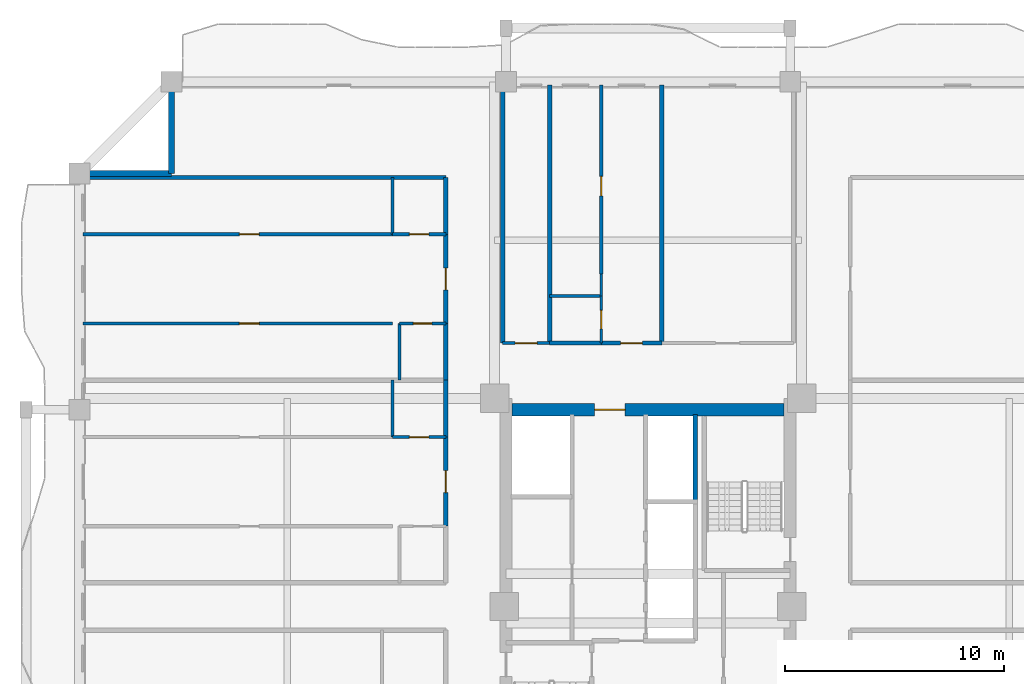
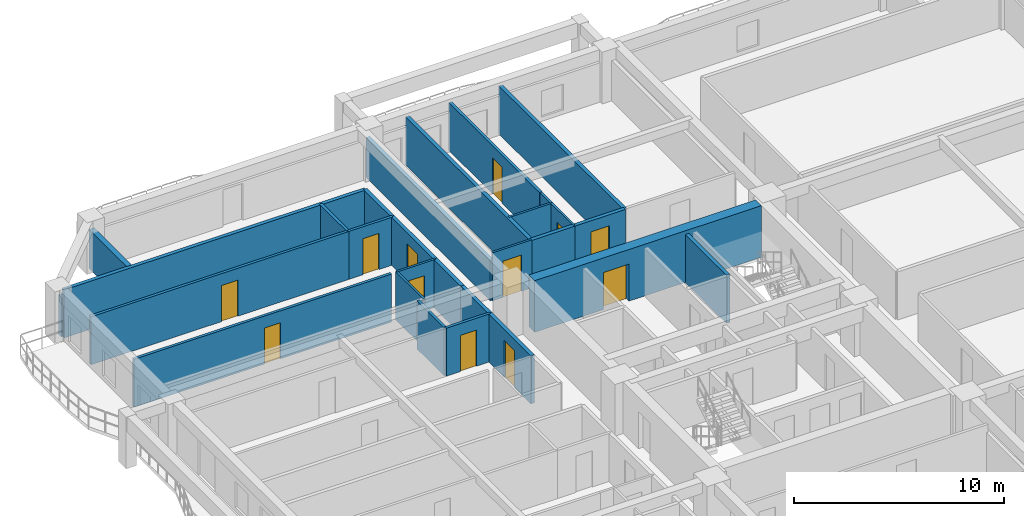
# One storey, part 5 of 11: 28 walls, 12 doors, 12 openings.
"""IFC4 building model written with IfcOpenShell, lengths in metres."""

from ifc_helpers import new_model, si_unit, direction, frame, frame_2d, origin, place, context, subcontext, project, spatial, rectangle, extrude, source, transform, mapped, material, layer, layer_set, type_object, element, fill, save


model = new_model("IFC4")

# Units and contexts
model_context = context("Model", 3, precision=1e-05, world=origin(), true_north=direction((0.0, 1.0)))
body_context = subcontext(model_context, "Body", "Model", "MODEL_VIEW")
ifc_project = project(units=[si_unit("LENGTHUNIT", "METRE"), si_unit("AREAUNIT", "SQUARE_METRE"), si_unit("VOLUMEUNIT", "CUBIC_METRE"), si_unit("PLANEANGLEUNIT", "RADIAN"), si_unit("MASSUNIT", "GRAM", prefix="KILO")], contexts=[model_context])

# Site, building, storey
site_placement = place(None, origin())
site = spatial("IfcSite", under=ifc_project, at=site_placement, CompositionType="ELEMENT")
building_placement = place(site_placement, origin())
building = spatial("IfcBuilding", under=site, at=building_placement, Name="Saelheon Loggia Tower", CompositionType="ELEMENT")
storey_placement = place(building_placement, frame((0.0, 0.0, 138.75)))
storey = spatial("IfcBuildingStorey", under=building, at=storey_placement, Name="L44", CompositionType="ELEMENT", Elevation=138.75)

# Wall, opening, door
ifc_material_1 = material(Name="Concrete C50/60", Category="concrete")
ifc_layer_1 = layer(ifc_material_1, 0.550048828125)
ifc_layer_set_1 = layer_set([ifc_layer_1], Name="Concrete C50/60")
wall_type_1 = type_object("IfcWallType", Name="Wall_CoreShear_550", PredefinedType="SHEAR", material=ifc_layer_set_1)
wall_1_placement = place(storey_placement, frame((31.77490234375, 36.0, 0.0), z_axis=(0.0, 0.0, 1.0), x_axis=(1.0, 0.0, 0.0)))
wall_1 = element("IfcWall", 1, at=wall_1_placement, inside=storey, type_object=wall_type_1, Name="L44 Core Shear Wall North", PredefinedType="SHEAR", context=body_context, shape_type="SweptSolid", body=[
    extrude(rectangle(XDim=12.4501953125, YDim=0.550048828125, at=frame_2d((6.22509765625, 0.0))), origin(), (0.0, 0.0, 1.0), 3.0),
])
opening_1_placement = place(wall_1_placement, frame((5.1748046875, 0.0, 0.0), z_axis=(0.0, 0.0, 1.0), x_axis=(-1.0, 0.0, 0.0)))
opening_1 = element("IfcOpeningElement", 2, at=opening_1_placement, cuts=wall_1, Name="Opening D-FD2L", PredefinedType="OPENING", context=body_context, shape_type="SweptSolid", body=[
    extrude(rectangle(XDim=1.39990234375, YDim=2.14990234375, at=frame_2d((0.699951171875, 1.074951171875))), frame((0.0, 0.287109375, 0.0), z_axis=(0.0, -1.0, 0.0), x_axis=(1.0, 0.0, 0.0)), (0.0, 0.0, 1.0), 0.573974609375),
])
ifc_material_2 = material(Name="Galvanised Steel Glazed Lobby Fire Door", Category="steel")
door_type_1 = type_object("IfcDoorType", Name="Door_Fire_FD60_1400", OperationType="NOTDEFINED", PredefinedType="DOOR", material=ifc_material_2)
shared_shape_1 = source(origin(), body_context, "Body", "SweptSolid", [
    extrude(rectangle(XDim=1.39990234375, YDim=2.14990234375, at=frame_2d((0.699951171875, 1.074951171875))), frame((0.0, 0.02490234375, 0.0), z_axis=(0.0, -1.0, 0.0), x_axis=(1.0, 0.0, 0.0)), (0.0, 0.0, 1.0), 0.050048828125),
])
door_1_placement = place(opening_1_placement, origin())
door_1 = element("IfcDoor", 3, at=door_1_placement, inside=storey, type_object=door_type_1, Name="L44 Passenger Lift Lobby Main Door", OperationType="SINGLE_SWING_RIGHT", OverallHeight=2.14990234375, OverallWidth=1.39990234375, PredefinedType="DOOR", context=body_context, shape_type="MappedRepresentation", body=[
    mapped(shared_shape_1, transform((0.0, 0.0, 0.0), scale=1.0)),
])
fill(opening_1, door_1)

# Walls
ifc_material_3 = material(Name="Architectural Precast Concrete C40/50", Category="concrete")
ifc_layer_2 = layer(ifc_material_3, 0.280029296875)
ifc_layer_set_2 = layer_set([ifc_layer_2], Name="Architectural Precast Concrete C40/50")
wall_type_2 = type_object("IfcWallType", Name="Wall_Ext_Loggia_280", PredefinedType="SOLIDWALL", material=ifc_layer_set_2)
for number, where, z_axis, x_axis, name in (
    (4, (16.199951171875, 46.800048828125, 0.0), (0.0, 0.0, 1.0), (0.0, 1.0, 0.0), "L44 Corner Notch Precast Wall NW1"),
    (5, (12.080078125, 46.800048828125, 0.0), (0.0, 0.0, 1.0), (1.0, 0.0, 0.0), "L44 Corner Notch Precast Wall NW2"),
):
    element("IfcWall", number, at=place(storey_placement, frame(where, z_axis=z_axis, x_axis=x_axis)), inside=storey, type_object=wall_type_2, Name=name, PredefinedType="SOLIDWALL", context=body_context, shape_type="SweptSolid", body=[
        extrude(rectangle(XDim=4.119873046875, YDim=0.280029296875, at=frame_2d((2.06005859375, 0.0))), origin(), (0.0, 0.0, 1.0), 2.280029296875),
    ])

# Wall, opening, door
ifc_material_4 = material(Name="Lightweight Autoclaved Aerated Concrete Block and Acoustic Gypsum", Category="concrete")
ifc_layer_3 = layer(ifc_material_4, 0.14990234375)
ifc_layer_set_3 = layer_set([ifc_layer_3], Name="Lightweight Autoclaved Aerated Concrete Block and Acoustic Gypsum")
wall_type_3 = type_object("IfcWallType", Name="Wall_Part_150", PredefinedType="PARTITIONING", material=ifc_layer_set_3)
wall_2_placement = place(storey_placement, frame((35.859375, 42.2099609375, 0.0), z_axis=(0.0, 0.0, 1.0), x_axis=(0.0, 1.0, 0.0)))
wall_2 = element("IfcWall", 6, at=wall_2_placement, inside=storey, type_object=wall_type_3, Name="L44 N Partition U10", PredefinedType="PARTITIONING", context=body_context, shape_type="SweptSolid", body=[
    extrude(rectangle(XDim=8.64013671875, YDim=0.14990234375, at=frame_2d((4.320068359375, 0.0))), origin(), (0.0, 0.0, 1.0), 2.7900390625),
])
opening_2_placement = place(wall_2_placement, frame((3.5673828125, 0.0, 0.0)))
opening_2 = element("IfcOpeningElement", 7, at=opening_2_placement, cuts=wall_2, Name="Opening D-IN2", PredefinedType="OPENING", context=body_context, shape_type="SweptSolid", body=[
    extrude(rectangle(XDim=0.89990234375, YDim=2.10009765625, at=frame_2d((0.449951171875, 1.050048828125))), frame((0.0, 0.0869140625, 0.0), z_axis=(0.0, -1.0, 0.0), x_axis=(1.0, 0.0, 0.0)), (0.0, 0.0, 1.0), 0.173828125),
])
ifc_material_5 = material(Name="Engineered Oak Flush Door", Category="timber")
door_type_2 = type_object("IfcDoorType", Name="Door_Int_900", OperationType="NOTDEFINED", PredefinedType="DOOR", material=ifc_material_5)
shared_shape_2 = source(origin(), body_context, "Body", "SweptSolid", [
    extrude(rectangle(XDim=0.89990234375, YDim=2.10009765625, at=frame_2d((0.449951171875, 1.050048828125))), frame((0.0, 0.02490234375, 0.0), z_axis=(0.0, -1.0, 0.0), x_axis=(1.0, 0.0, 0.0)), (0.0, 0.0, 1.0), 0.050048828125),
])
door_2_placement = place(opening_2_placement, origin())
door_2 = element("IfcDoor", 8, at=door_2_placement, inside=storey, type_object=door_type_2, Name="Unit U01 Kitchen Door", OperationType="SINGLE_SWING_LEFT", OverallHeight=2.10009765625, OverallWidth=0.89990234375, PredefinedType="DOOR", context=body_context, shape_type="MappedRepresentation", body=[
    mapped(shared_shape_2, transform((0.0, 0.0, 0.0), scale=1.0)),
])
fill(opening_2, door_2)

# Wall
wall_3_placement = place(storey_placement, frame((26.31005859375, 34.75, 0.0), z_axis=(0.0, 0.0, 1.0), x_axis=(0.0, 1.0, 0.0)))
element("IfcWall", 9, at=wall_3_placement, inside=storey, type_object=wall_type_3, Name="L44 WN Partition V07", PredefinedType="PARTITIONING", context=body_context, shape_type="SweptSolid", body=[
    extrude(rectangle(XDim=2.60009765625, YDim=0.14990234375, at=frame_2d((1.300048828125, 0.0))), origin(), (0.0, 0.0, 1.0), 2.7900390625),
])

# Wall, opening, door
wall_4_placement = place(storey_placement, frame((28.75, 34.75, 0.0), z_axis=(0.0, 0.0, 1.0), x_axis=(-1.0, 0.0, 0.0)))
wall_4 = element("IfcWall", 10, at=wall_4_placement, inside=storey, type_object=wall_type_3, Name="L44 WN Partition U10", PredefinedType="PARTITIONING", context=body_context, shape_type="SweptSolid", body=[
    extrude(rectangle(XDim=2.43994140625, YDim=0.14990234375, at=frame_2d((1.219970703125, 0.0))), origin(), (0.0, 0.0, 1.0), 2.7900390625),
])
opening_3_placement = place(wall_4_placement, frame((0.77001953125, 0.0, 0.0)))
opening_3 = element("IfcOpeningElement", 11, at=opening_3_placement, cuts=wall_4, Name="Opening D-IN2", PredefinedType="OPENING", context=body_context, shape_type="SweptSolid", body=[
    extrude(rectangle(XDim=0.89990234375, YDim=2.10009765625, at=frame_2d((0.449951171875, 1.050048828125))), frame((0.0, 0.0869140625, 0.0), z_axis=(0.0, -1.0, 0.0), x_axis=(1.0, 0.0, 0.0)), (0.0, 0.0, 1.0), 0.173828125),
])
door_3_placement = place(opening_3_placement, origin())
door_3 = element("IfcDoor", 12, at=door_3_placement, inside=storey, type_object=door_type_2, Name="Unit U04 Dressing Closet Door", OperationType="SINGLE_SWING_RIGHT", OverallHeight=2.10009765625, OverallWidth=0.89990234375, PredefinedType="DOOR", context=body_context, shape_type="MappedRepresentation", body=[
    mapped(shared_shape_2, transform((0.0, 0.0, 0.0), scale=1.0)),
])
fill(opening_3, door_3)

# Wall
wall_5_placement = place(storey_placement, frame((26.31005859375, 44.02001953125, 0.0), z_axis=(0.0, 0.0, 1.0), x_axis=(0.0, 1.0, 0.0)))
element("IfcWall", 13, at=wall_5_placement, inside=storey, type_object=wall_type_3, Name="L44 WN Partition V17", PredefinedType="PARTITIONING", context=body_context, shape_type="SweptSolid", body=[
    extrude(rectangle(XDim=2.60009765625, YDim=0.14990234375, at=frame_2d((1.300048828125, 0.0))), origin(), (0.0, 0.0, 1.0), 2.7900390625),
])

# Wall, opening, door
wall_6_placement = place(storey_placement, frame((26.31005859375, 39.945556640625, 0.0), z_axis=(0.0, 0.0, 1.0), x_axis=(-1.0, 0.0, 0.0)))
wall_6 = element("IfcWall", 14, at=wall_6_placement, inside=storey, type_object=wall_type_3, Name="L44 WN Partition U19", PredefinedType="PARTITIONING", context=body_context, shape_type="SweptSolid", body=[
    extrude(rectangle(XDim=14.16015625, YDim=0.14990234375, at=frame_2d((7.080078125, 0.0))), origin(), (0.0, 0.0, 1.0), 2.7900390625),
])
opening_4_placement = place(wall_6_placement, frame((6.097412109375, 0.0, 0.0)))
opening_4 = element("IfcOpeningElement", 15, at=opening_4_placement, cuts=wall_6, Name="Opening D-IN2", PredefinedType="OPENING", context=body_context, shape_type="SweptSolid", body=[
    extrude(rectangle(XDim=0.89990234375, YDim=2.10009765625, at=frame_2d((0.449951171875, 1.050048828125))), frame((0.0, 0.0869140625, 0.0), z_axis=(0.0, -1.0, 0.0), x_axis=(1.0, 0.0, 0.0)), (0.0, 0.0, 1.0), 0.173828125),
])
door_4_placement = place(opening_4_placement, origin())
door_4 = element("IfcDoor", 16, at=door_4_placement, inside=storey, type_object=door_type_2, Name="Unit U05 Kitchen Door", OperationType="SINGLE_SWING_RIGHT", OverallHeight=2.10009765625, OverallWidth=0.89990234375, PredefinedType="DOOR", context=body_context, shape_type="MappedRepresentation", body=[
    mapped(shared_shape_2, transform((0.0, 0.0, 0.0), scale=1.0)),
])
fill(opening_4, door_4)

wall_7_placement = place(storey_placement, frame((28.75, 44.02001953125, 0.0), z_axis=(0.0, 0.0, 1.0), x_axis=(-1.0, 0.0, 0.0)))
wall_7 = element("IfcWall", 17, at=wall_7_placement, inside=storey, type_object=wall_type_3, Name="L44 WN Partition U20", PredefinedType="PARTITIONING", context=body_context, shape_type="SweptSolid", body=[
    extrude(rectangle(XDim=2.43994140625, YDim=0.14990234375, at=frame_2d((1.219970703125, 0.0))), origin(), (0.0, 0.0, 1.0), 2.7900390625),
])
opening_5_placement = place(wall_7_placement, frame((0.77001953125, 0.0, 0.0)))
opening_5 = element("IfcOpeningElement", 18, at=opening_5_placement, cuts=wall_7, Name="Opening D-IN2", PredefinedType="OPENING", context=body_context, shape_type="SweptSolid", body=[
    extrude(rectangle(XDim=0.89990234375, YDim=2.10009765625, at=frame_2d((0.449951171875, 1.050048828125))), frame((0.0, 0.0869140625, 0.0), z_axis=(0.0, -1.0, 0.0), x_axis=(1.0, 0.0, 0.0)), (0.0, 0.0, 1.0), 0.173828125),
])
door_5_placement = place(opening_5_placement, origin())
door_5 = element("IfcDoor", 19, at=door_5_placement, inside=storey, type_object=door_type_2, Name="Unit U05 Dressing Closet Door", OperationType="SINGLE_SWING_LEFT", OverallHeight=2.10009765625, OverallWidth=0.89990234375, PredefinedType="DOOR", context=body_context, shape_type="MappedRepresentation", body=[
    mapped(shared_shape_2, transform((0.0, 0.0, 0.0), scale=1.0)),
])
fill(opening_5, door_5)

wall_8_placement = place(storey_placement, frame((26.31005859375, 44.02001953125, 0.0), z_axis=(0.0, 0.0, 1.0), x_axis=(-1.0, 0.0, 0.0)))
wall_8 = element("IfcWall", 20, at=wall_8_placement, inside=storey, type_object=wall_type_3, Name="L44 WN Partition U21", PredefinedType="PARTITIONING", context=body_context, shape_type="SweptSolid", body=[
    extrude(rectangle(XDim=14.16015625, YDim=0.14990234375, at=frame_2d((7.080078125, 0.0))), origin(), (0.0, 0.0, 1.0), 2.7900390625),
])
opening_6_placement = place(wall_8_placement, frame((6.097412109375, 0.0, 0.0)))
opening_6 = element("IfcOpeningElement", 21, at=opening_6_placement, cuts=wall_8, Name="Opening D-IN2", PredefinedType="OPENING", context=body_context, shape_type="SweptSolid", body=[
    extrude(rectangle(XDim=0.89990234375, YDim=2.10009765625, at=frame_2d((0.449951171875, 1.050048828125))), frame((0.0, 0.0869140625, 0.0), z_axis=(0.0, -1.0, 0.0), x_axis=(1.0, 0.0, 0.0)), (0.0, 0.0, 1.0), 0.173828125),
])
door_6_placement = place(opening_6_placement, origin())
door_6 = element("IfcDoor", 22, at=door_6_placement, inside=storey, type_object=door_type_2, Name="Unit U05 Bedroom 1 Door", OperationType="SINGLE_SWING_RIGHT", OverallHeight=2.10009765625, OverallWidth=0.89990234375, PredefinedType="DOOR", context=body_context, shape_type="MappedRepresentation", body=[
    mapped(shared_shape_2, transform((0.0, 0.0, 0.0), scale=1.0)),
])
fill(opening_6, door_6)

# Walls
ifc_material_6 = material(Name="Double Acoustic Stud and Fireboard Partition", Category="gypsum")
ifc_layer_4 = layer(ifc_material_6, 0.199951171875)
ifc_layer_set_4 = layer_set([ifc_layer_4], Name="Double Acoustic Stud and Fireboard Partition")
wall_type_4 = type_object("IfcWallType", Name="Wall_Party_200", PredefinedType="PARTITIONING", material=ifc_layer_set_4)
wall_9_placement = place(storey_placement, frame((31.35009765625, 39.050048828125, 0.0), z_axis=(0.0, 0.0, 1.0), x_axis=(0.0, 1.0, 0.0)))
element("IfcWall", 23, at=wall_9_placement, inside=storey, type_object=wall_type_4, Name="L44 N Partition U01", PredefinedType="PARTITIONING", context=body_context, shape_type="SweptSolid", body=[
    extrude(rectangle(XDim=11.800048828125, YDim=0.199951171875, at=frame_2d((5.89990234375, 0.0))), origin(), (0.0, 0.0, 1.0), 2.340087890625),
])
wall_10_placement = place(storey_placement, frame((33.5, 39.050048828125, 0.0), z_axis=(0.0, 0.0, 1.0), x_axis=(0.0, 1.0, 0.0)))
element("IfcWall", 24, at=wall_10_placement, inside=storey, type_object=wall_type_4, Name="L44 N Partition U03", PredefinedType="PARTITIONING", context=body_context, shape_type="SweptSolid", body=[
    extrude(rectangle(XDim=11.800048828125, YDim=0.199951171875, at=frame_2d((5.89990234375, 0.0))), origin(), (0.0, 0.0, 1.0), 2.7900390625),
])
wall_11_placement = place(storey_placement, frame((33.5, 39.050048828125, 0.0), z_axis=(0.0, 0.0, 1.0), x_axis=(1.0, 0.0, 0.0)))
element("IfcWall", 25, at=wall_11_placement, inside=storey, type_object=wall_type_4, Name="L44 N Partition V05", PredefinedType="PARTITIONING", context=body_context, shape_type="SweptSolid", body=[
    extrude(rectangle(XDim=2.359375, YDim=0.199951171875, at=frame_2d((1.1796875, 0.0))), origin(), (0.0, 0.0, 1.0), 2.7900390625),
])

# Wall, opening, door
wall_12_placement = place(storey_placement, frame((35.859375, 39.050048828125, 0.0), z_axis=(0.0, 0.0, 1.0), x_axis=(1.0, 0.0, 0.0)))
wall_12 = element("IfcWall", 26, at=wall_12_placement, inside=storey, type_object=wall_type_4, Name="L44 N Partition V06", PredefinedType="PARTITIONING", context=body_context, shape_type="SweptSolid", body=[
    extrude(rectangle(XDim=2.76953125, YDim=0.199951171875, at=frame_2d((1.384765625, 0.0))), origin(), (0.0, 0.0, 1.0), 2.7900390625),
])
opening_7_placement = place(wall_12_placement, frame((0.885009765625, 0.0, 0.0)))
opening_7 = element("IfcOpeningElement", 27, at=opening_7_placement, cuts=wall_12, Name="Opening D-FD1", PredefinedType="OPENING", context=body_context, shape_type="SweptSolid", body=[
    extrude(rectangle(XDim=1.0, YDim=2.14990234375, at=frame_2d((0.5, 1.074951171875))), frame((0.0, 0.112060546875, 0.0), z_axis=(0.0, -1.0, 0.0), x_axis=(1.0, 0.0, 0.0)), (0.0, 0.0, 1.0), 0.223876953125),
])
ifc_material_7 = material(Name="Fire-Rated Engineered Timber Entrance Door", Category="wood")
door_type_3 = type_object("IfcDoorType", Name="Door_Flat_FD30S", OperationType="NOTDEFINED", PredefinedType="DOOR", material=ifc_material_7)
shared_shape_3 = source(origin(), body_context, "Body", "SweptSolid", [
    extrude(rectangle(XDim=1.0, YDim=2.14990234375, at=frame_2d((0.5, 1.074951171875))), frame((0.0, 0.02490234375, 0.0), z_axis=(0.0, -1.0, 0.0), x_axis=(1.0, 0.0, 0.0)), (0.0, 0.0, 1.0), 0.050048828125),
])
door_7_placement = place(opening_7_placement, origin())
door_7 = element("IfcDoor", 28, at=door_7_placement, inside=storey, type_object=door_type_3, Name="Unit U01 Entrance Door", OperationType="SINGLE_SWING_LEFT", OverallHeight=2.14990234375, OverallWidth=1.0, PredefinedType="DOOR", context=body_context, shape_type="MappedRepresentation", body=[
    mapped(shared_shape_3, transform((0.0, 0.0, 0.0), scale=1.0)),
])
fill(opening_7, door_7)

# Walls
wall_13_placement = place(storey_placement, frame((38.62890625, 39.050048828125, 0.0), z_axis=(0.0, 0.0, 1.0), x_axis=(0.0, 1.0, 0.0)))
element("IfcWall", 29, at=wall_13_placement, inside=storey, type_object=wall_type_4, Name="L44 N Partition U11", PredefinedType="PARTITIONING", context=body_context, shape_type="SweptSolid", body=[
    extrude(rectangle(XDim=11.800048828125, YDim=0.199951171875, at=frame_2d((5.89990234375, 0.0))), origin(), (0.0, 0.0, 1.0), 2.7900390625),
])
wall_14_placement = place(storey_placement, frame((28.75, 46.6201171875, 0.0), z_axis=(0.0, 0.0, 1.0), x_axis=(-1.0, 0.0, 0.0)))
element("IfcWall", 30, at=wall_14_placement, inside=storey, type_object=wall_type_4, Name="L44 WN Partition U02", PredefinedType="PARTITIONING", context=body_context, shape_type="SweptSolid", body=[
    extrude(rectangle(XDim=16.60009765625, YDim=0.199951171875, at=frame_2d((8.300048828125, 0.0))), origin(), (0.0, 0.0, 1.0), 2.7900390625),
])

# Wall, opening, door
wall_15_placement = place(storey_placement, frame((28.75, 30.675537109375, 0.0), z_axis=(0.0, 0.0, 1.0), x_axis=(0.0, 1.0, 0.0)))
wall_15 = element("IfcWall", 31, at=wall_15_placement, inside=storey, type_object=wall_type_4, Name="L44 WN Partition V04", PredefinedType="PARTITIONING", context=body_context, shape_type="SweptSolid", body=[
    extrude(rectangle(XDim=4.074462890625, YDim=0.199951171875, at=frame_2d((2.037109375, 0.0))), origin(), (0.0, 0.0, 1.0), 2.7900390625),
])
opening_8_placement = place(wall_15_placement, frame((1.537109375, 0.0, 0.0)))
opening_8 = element("IfcOpeningElement", 32, at=opening_8_placement, cuts=wall_15, Name="Opening D-FD1", PredefinedType="OPENING", context=body_context, shape_type="SweptSolid", body=[
    extrude(rectangle(XDim=1.0, YDim=2.14990234375, at=frame_2d((0.5, 1.074951171875))), frame((0.0, 0.112060546875, 0.0), z_axis=(0.0, -1.0, 0.0), x_axis=(1.0, 0.0, 0.0)), (0.0, 0.0, 1.0), 0.223876953125),
])
door_8_placement = place(opening_8_placement, origin())
door_8 = element("IfcDoor", 33, at=door_8_placement, inside=storey, type_object=door_type_3, Name="Unit U04 Entrance Door", OperationType="SINGLE_SWING_LEFT", OverallHeight=2.14990234375, OverallWidth=1.0, PredefinedType="DOOR", context=body_context, shape_type="MappedRepresentation", body=[
    mapped(shared_shape_3, transform((0.0, 0.0, 0.0), scale=1.0)),
])
fill(opening_8, door_8)

# Walls
wall_16_placement = place(storey_placement, frame((28.75, 34.75, 0.0), z_axis=(0.0, 0.0, 1.0), x_axis=(0.0, 1.0, 0.0)))
element("IfcWall", 34, at=wall_16_placement, inside=storey, type_object=wall_type_4, Name="L44 WN Partition V05", PredefinedType="PARTITIONING", context=body_context, shape_type="SweptSolid", body=[
    extrude(rectangle(XDim=2.60009765625, YDim=0.199951171875, at=frame_2d((1.300048828125, 0.0))), origin(), (0.0, 0.0, 1.0), 2.7900390625),
])
wall_17_placement = place(storey_placement, frame((28.75, 37.35009765625, 0.0), z_axis=(0.0, 0.0, 1.0), x_axis=(0.0, 1.0, 0.0)))
element("IfcWall", 35, at=wall_17_placement, inside=storey, type_object=wall_type_4, Name="L44 WN Partition V13", PredefinedType="PARTITIONING", context=body_context, shape_type="SweptSolid", body=[
    extrude(rectangle(XDim=2.595458984375, YDim=0.199951171875, at=frame_2d((1.2978515625, 0.0))), origin(), (0.0, 0.0, 1.0), 2.7900390625),
])

# Wall, opening, door
wall_18_placement = place(storey_placement, frame((28.75, 39.945556640625, 0.0), z_axis=(0.0, 0.0, 1.0), x_axis=(0.0, 1.0, 0.0)))
wall_18 = element("IfcWall", 36, at=wall_18_placement, inside=storey, type_object=wall_type_4, Name="L44 WN Partition V14", PredefinedType="PARTITIONING", context=body_context, shape_type="SweptSolid", body=[
    extrude(rectangle(XDim=4.074462890625, YDim=0.199951171875, at=frame_2d((2.037109375, 0.0))), origin(), (0.0, 0.0, 1.0), 2.7900390625),
])
opening_9_placement = place(wall_18_placement, frame((1.537109375, 0.0, 0.0)))
opening_9 = element("IfcOpeningElement", 37, at=opening_9_placement, cuts=wall_18, Name="Opening D-FD1", PredefinedType="OPENING", context=body_context, shape_type="SweptSolid", body=[
    extrude(rectangle(XDim=1.0, YDim=2.14990234375, at=frame_2d((0.5, 1.074951171875))), frame((0.0, 0.112060546875, 0.0), z_axis=(0.0, -1.0, 0.0), x_axis=(1.0, 0.0, 0.0)), (0.0, 0.0, 1.0), 0.223876953125),
])
door_9_placement = place(opening_9_placement, origin())
door_9 = element("IfcDoor", 38, at=door_9_placement, inside=storey, type_object=door_type_3, Name="Unit U05 Entrance Door", OperationType="SINGLE_SWING_RIGHT", OverallHeight=2.14990234375, OverallWidth=1.0, PredefinedType="DOOR", context=body_context, shape_type="MappedRepresentation", body=[
    mapped(shared_shape_3, transform((0.0, 0.0, 0.0), scale=1.0)),
])
fill(opening_9, door_9)

# Walls
wall_19_placement = place(storey_placement, frame((28.75, 44.02001953125, 0.0), z_axis=(0.0, 0.0, 1.0), x_axis=(0.0, 1.0, 0.0)))
element("IfcWall", 39, at=wall_19_placement, inside=storey, type_object=wall_type_4, Name="L44 WN Partition V15", PredefinedType="PARTITIONING", context=body_context, shape_type="SweptSolid", body=[
    extrude(rectangle(XDim=2.60009765625, YDim=0.199951171875, at=frame_2d((1.300048828125, 0.0))), origin(), (0.0, 0.0, 1.0), 2.7900390625),
])
ifc_material_8 = material(Name="Concrete C40/50", Category="concrete")
ifc_layer_5 = layer(ifc_material_8, 0.199951171875)
ifc_layer_set_5 = layer_set([ifc_layer_5], Name="Concrete C40/50")
wall_type_5 = type_object("IfcWallType", Name="Wall_Shaft_200", PredefinedType="PARTITIONING", material=ifc_layer_set_5)
wall_20_placement = place(storey_placement, frame((40.14990234375, 31.800048828125, 0.0), z_axis=(0.0, 0.0, 1.0), x_axis=(0.0, 1.0, 0.0)))
element("IfcWall", 40, at=wall_20_placement, inside=storey, type_object=wall_type_5, Name="L44 East High-Rise Hoistway East Wall", PredefinedType="PARTITIONING", context=body_context, shape_type="SweptSolid", body=[
    extrude(rectangle(XDim=3.97998046875, YDim=0.199951171875, at=frame_2d((1.989990234375, 0.0))), origin(), (0.0, 0.0, 1.0), 2.7900390625),
])

# Wall, opening, door
ifc_material_9 = material(Name="Moisture-Resistant Cement Board Partition", Category="gypsum")
ifc_layer_6 = layer(ifc_material_9, 0.1201171875)
ifc_layer_set_6 = layer_set([ifc_layer_6], Name="Moisture-Resistant Cement Board Partition")
wall_type_6 = type_object("IfcWallType", Name="Wall_WetPart_120", PredefinedType="PARTITIONING", material=ifc_layer_set_6)
wall_21_placement = place(storey_placement, frame((31.35009765625, 39.050048828125, 0.0), z_axis=(0.0, 0.0, 1.0), x_axis=(1.0, 0.0, 0.0)))
wall_21 = element("IfcWall", 41, at=wall_21_placement, inside=storey, type_object=wall_type_6, Name="L44 N Partition V04", PredefinedType="PARTITIONING", context=body_context, shape_type="SweptSolid", body=[
    extrude(rectangle(XDim=2.14990234375, YDim=0.1201171875, at=frame_2d((1.074951171875, 0.0))), origin(), (0.0, 0.0, 1.0), 2.7900390625),
])
opening_10_placement = place(wall_21_placement, frame((0.574951171875, 0.0, 0.0)))
opening_10 = element("IfcOpeningElement", 42, at=opening_10_placement, cuts=wall_21, Name="Opening D-AC1", PredefinedType="OPENING", context=body_context, shape_type="SweptSolid", body=[
    extrude(rectangle(XDim=1.0, YDim=2.10009765625, at=frame_2d((0.5, 1.050048828125))), frame((0.0, 0.072021484375, 0.0), z_axis=(0.0, -1.0, 0.0), x_axis=(1.0, 0.0, 0.0)), (0.0, 0.0, 1.0), 0.14404296875),
])
ifc_material_10 = material(Name="Accessible Laminate Flush Door", Category="timber")
door_type_4 = type_object("IfcDoorType", Name="Door_Acc_1000", OperationType="NOTDEFINED", PredefinedType="DOOR", material=ifc_material_10)
shared_shape_4 = source(origin(), body_context, "Body", "SweptSolid", [
    extrude(rectangle(XDim=1.0, YDim=2.10009765625, at=frame_2d((0.5, 1.050048828125))), frame((0.0, 0.02490234375, 0.0), z_axis=(0.0, -1.0, 0.0), x_axis=(1.0, 0.0, 0.0)), (0.0, 0.0, 1.0), 0.050048828125),
])
door_10_placement = place(opening_10_placement, origin())
door_10 = element("IfcDoor", 43, at=door_10_placement, inside=storey, type_object=door_type_4, Name="L44 Floor Accessible WC Door", OperationType="SINGLE_SWING_RIGHT", OverallHeight=2.10009765625, OverallWidth=1.0, PredefinedType="DOOR", context=body_context, shape_type="MappedRepresentation", body=[
    mapped(shared_shape_4, transform((0.0, 0.0, 0.0), scale=1.0)),
])
fill(opening_10, door_10)

wall_22_placement = place(storey_placement, frame((35.859375, 39.050048828125, 0.0), z_axis=(0.0, 0.0, 1.0), x_axis=(0.0, 1.0, 0.0)))
wall_22 = element("IfcWall", 44, at=wall_22_placement, inside=storey, type_object=wall_type_6, Name="L44 N Partition U07", PredefinedType="PARTITIONING", context=body_context, shape_type="SweptSolid", body=[
    extrude(rectangle(XDim=2.14990234375, YDim=0.1201171875, at=frame_2d((1.074951171875, 0.0))), origin(), (0.0, 0.0, 1.0), 2.7900390625),
])
opening_11_placement = place(wall_22_placement, frame((0.64990234375, 0.0, 0.0)))
opening_11 = element("IfcOpeningElement", 45, at=opening_11_placement, cuts=wall_22, Name="Opening D-BT1", PredefinedType="OPENING", context=body_context, shape_type="SweptSolid", body=[
    extrude(rectangle(XDim=0.85009765625, YDim=2.050048828125, at=frame_2d((0.425048828125, 1.02490234375))), frame((0.0, 0.072021484375, 0.0), z_axis=(0.0, -1.0, 0.0), x_axis=(1.0, 0.0, 0.0)), (0.0, 0.0, 1.0), 0.14404296875),
])
ifc_material_11 = material(Name="Moisture-Resistant Laminate Timber Door", Category="wood")
door_type_5 = type_object("IfcDoorType", Name="Door_Bath_850", OperationType="NOTDEFINED", PredefinedType="DOOR", material=ifc_material_11)
shared_shape_5 = source(origin(), body_context, "Body", "SweptSolid", [
    extrude(rectangle(XDim=0.85009765625, YDim=2.050048828125, at=frame_2d((0.425048828125, 1.02490234375))), frame((0.0, 0.02490234375, 0.0), z_axis=(0.0, -1.0, 0.0), x_axis=(1.0, 0.0, 0.0)), (0.0, 0.0, 1.0), 0.050048828125),
])
door_11_placement = place(opening_11_placement, origin())
door_11 = element("IfcDoor", 46, at=door_11_placement, inside=storey, type_object=door_type_5, Name="Unit U01 Bathroom Door", OperationType="SINGLE_SWING_RIGHT", OverallHeight=2.050048828125, OverallWidth=0.85009765625, PredefinedType="DOOR", context=body_context, shape_type="MappedRepresentation", body=[
    mapped(shared_shape_5, transform((0.0, 0.0, 0.0), scale=1.0)),
])
fill(opening_11, door_11)

# Walls
wall_23_placement = place(storey_placement, frame((35.859375, 41.199951171875, 0.0), z_axis=(0.0, 0.0, 1.0), x_axis=(0.0, 1.0, 0.0)))
element("IfcWall", 47, at=wall_23_placement, inside=storey, type_object=wall_type_6, Name="L44 N Partition U08", PredefinedType="PARTITIONING", context=body_context, shape_type="SweptSolid", body=[
    extrude(rectangle(XDim=1.010009765625, YDim=0.1201171875, at=frame_2d((0.5048828125, 0.0))), origin(), (0.0, 0.0, 1.0), 2.7900390625),
])
wall_24_placement = place(storey_placement, frame((33.5, 41.199951171875, 0.0), z_axis=(0.0, 0.0, 1.0), x_axis=(1.0, 0.0, 0.0)))
element("IfcWall", 48, at=wall_24_placement, inside=storey, type_object=wall_type_6, Name="L44 N Partition V09", PredefinedType="PARTITIONING", context=body_context, shape_type="SweptSolid", body=[
    extrude(rectangle(XDim=2.359375, YDim=0.1201171875, at=frame_2d((1.1796875, 0.0))), origin(), (0.0, 0.0, 1.0), 2.7900390625),
])
wall_25_placement = place(storey_placement, frame((26.6298828125, 37.35009765625, 0.0), z_axis=(0.0, 0.0, 1.0), x_axis=(0.0, 1.0, 0.0)))
element("IfcWall", 49, at=wall_25_placement, inside=storey, type_object=wall_type_6, Name="L44 WN Partition V16", PredefinedType="PARTITIONING", context=body_context, shape_type="SweptSolid", body=[
    extrude(rectangle(XDim=2.595458984375, YDim=0.1201171875, at=frame_2d((1.2978515625, 0.0))), origin(), (0.0, 0.0, 1.0), 2.7900390625),
])

# Wall, opening, door
wall_26_placement = place(storey_placement, frame((28.75, 39.945556640625, 0.0), z_axis=(0.0, 0.0, 1.0), x_axis=(-1.0, 0.0, 0.0)))
wall_26 = element("IfcWall", 50, at=wall_26_placement, inside=storey, type_object=wall_type_6, Name="L44 WN Partition U18", PredefinedType="PARTITIONING", context=body_context, shape_type="SweptSolid", body=[
    extrude(rectangle(XDim=2.1201171875, YDim=0.1201171875, at=frame_2d((1.06005859375, 0.0))), origin(), (0.0, 0.0, 1.0), 2.7900390625),
])
opening_12_placement = place(wall_26_placement, frame((0.635009765625, 0.0, 0.0)))
opening_12 = element("IfcOpeningElement", 51, at=opening_12_placement, cuts=wall_26, Name="Opening D-BT1", PredefinedType="OPENING", context=body_context, shape_type="SweptSolid", body=[
    extrude(rectangle(XDim=0.85009765625, YDim=2.050048828125, at=frame_2d((0.425048828125, 1.02490234375))), frame((0.0, 0.072021484375, 0.0), z_axis=(0.0, -1.0, 0.0), x_axis=(1.0, 0.0, 0.0)), (0.0, 0.0, 1.0), 0.14404296875),
])
door_12_placement = place(opening_12_placement, origin())
door_12 = element("IfcDoor", 52, at=door_12_placement, inside=storey, type_object=door_type_5, Name="Unit U05 Bathroom Door", OperationType="SINGLE_SWING_LEFT", OverallHeight=2.050048828125, OverallWidth=0.85009765625, PredefinedType="DOOR", context=body_context, shape_type="MappedRepresentation", body=[
    mapped(shared_shape_5, transform((0.0, 0.0, 0.0), scale=1.0)),
])
fill(opening_12, door_12)

save(model, "model.ifc")
